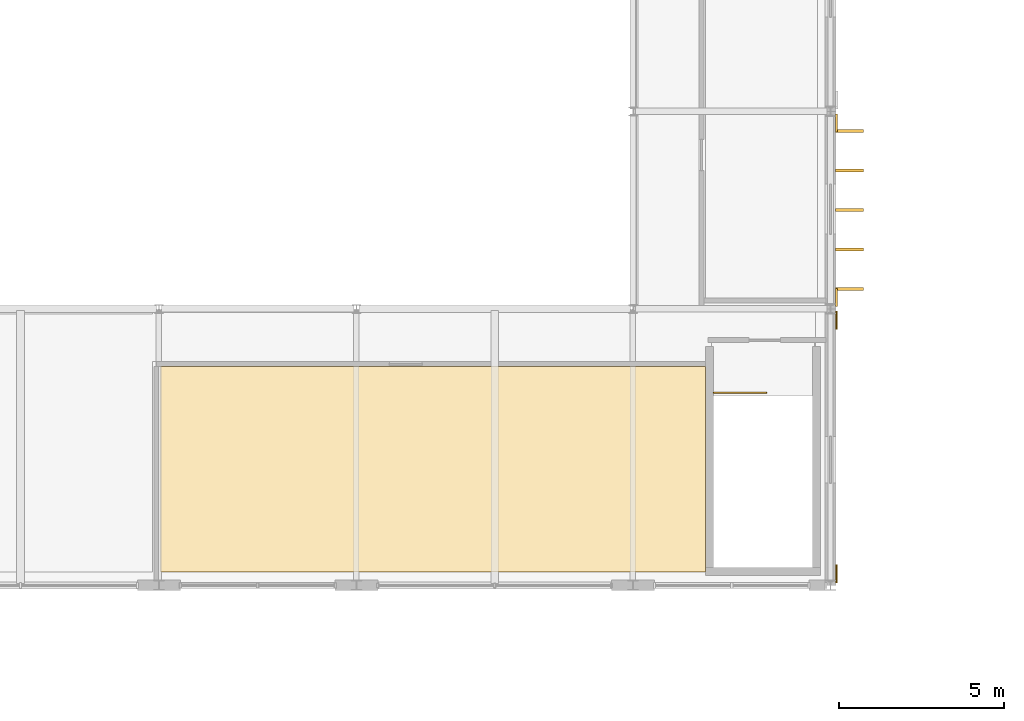
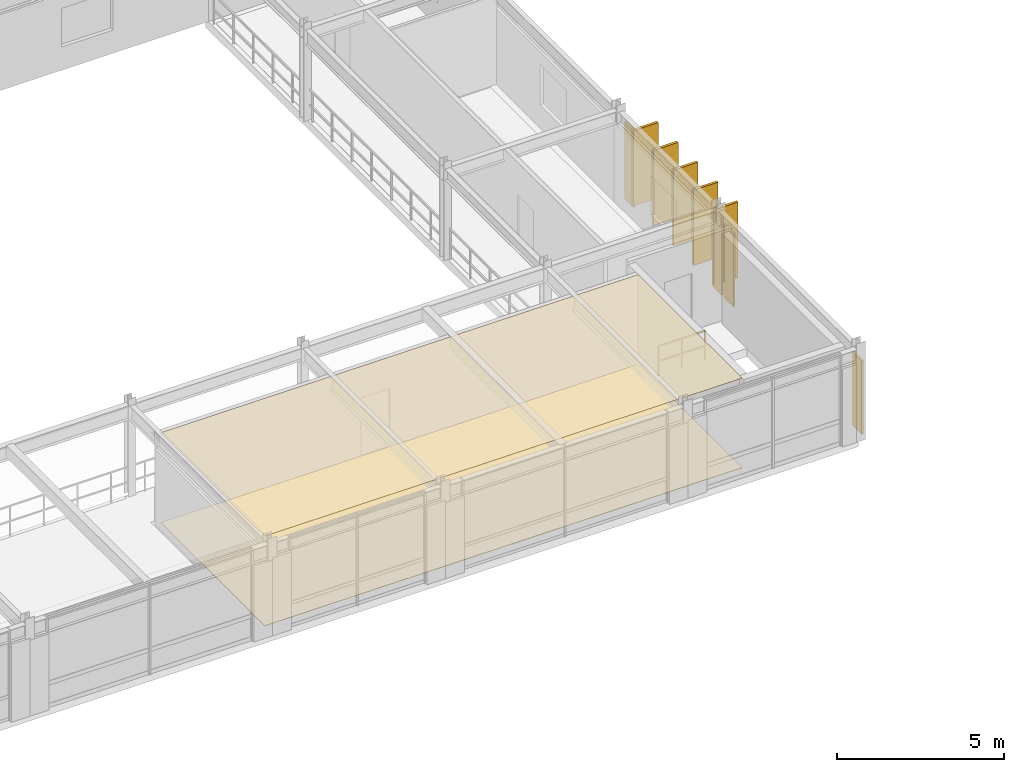
# One storey, part 76 of 88: 6 coverings, 5 shading devices, 1 railing.
"""IFC4 building model written with IfcOpenShell, lengths in metres."""

from ifc_helpers import new_model, si_unit, direction, frame, origin, origin_2d, place, context, subcontext, project, spatial, polyline, rectangle, outline, extrude, material, layer, layer_set, type_object, element, save


model = new_model("IFC4")

# Units and contexts
model_context = context("Model", 3, precision=1e-05, world=origin(), true_north=direction((0.0, 1.0)))
body_context = subcontext(model_context, "Body", "Model", "MODEL_VIEW")
ifc_project = project(units=[si_unit("LENGTHUNIT", "METRE"), si_unit("AREAUNIT", "SQUARE_METRE"), si_unit("VOLUMEUNIT", "CUBIC_METRE"), si_unit("PLANEANGLEUNIT", "RADIAN"), si_unit("MASSUNIT", "GRAM", prefix="KILO"), si_unit("THERMODYNAMICTEMPERATUREUNIT", "KELVIN")], contexts=[model_context])

# Site, building, storey
site_placement = place(None, origin())
site = spatial("IfcSite", under=ifc_project, at=site_placement, CompositionType="ELEMENT")
building_placement = place(site_placement, origin())
building = spatial("IfcBuilding", under=site, at=building_placement, Name="Thalorik Housing Commons", CompositionType="ELEMENT")
storey_placement = place(building_placement, frame((0.0, 0.0, 4.5)))
storey = spatial("IfcBuildingStorey", under=building, at=storey_placement, Name="L01", CompositionType="ELEMENT", Elevation=4.5)

# Coverings
ifc_material_1 = material(Name="Cobalt blue glazed ceramic facade tile panel", Category="masonry")
ifc_layer_1 = layer(ifc_material_1, 0.06005859375, Name="Cobalt blue glazed ceramic facade tile panel", Category="masonry")
ifc_layer_set_1 = layer_set([ifc_layer_1], Name="Cobalt blue glazed ceramic facade tile panel")
covering_type_1 = type_object("IfcCoveringType", Name="ARC-CLD-BLU-60", PredefinedType="CLADDING", material=ifc_layer_set_1)
for number, where, z_axis, x_axis, name in (
    (1, (115.382080078125, 57.949951171875, 0.050048828125), (0.0, 0.0, 1.0), (0.0, 1.0, 0.0), "L01 Architectural Facade Cladding 5164"),
    (2, (115.382080078125, 65.64990234375, 0.050048828125), (0.0, 0.0, 1.0), (0.0, 1.0, 0.0), "L01 Architectural Facade Cladding 5165"),
):
    element("IfcCovering", number, at=place(storey_placement, frame(where, z_axis=z_axis, x_axis=x_axis)), inside=storey, type_object=covering_type_1, Name=name, PredefinedType="CLADDING", context=body_context, shape_type="SweptSolid", body=[
        extrude(rectangle(XDim=0.550048828125, YDim=0.06005859375, at=origin_2d()), origin(), (0.0, 0.0, 1.0), 2.68994140625),
    ])
ifc_material_2 = material(Name="Mineral ochre architectural terracotta panel", Category="masonry")
ifc_layer_2 = layer(ifc_material_2, 0.06494140625, Name="Mineral ochre architectural terracotta panel", Category="masonry")
ifc_layer_set_2 = layer_set([ifc_layer_2], Name="Mineral ochre architectural terracotta panel")
covering_type_2 = type_object("IfcCoveringType", Name="ARC-CLD-YEL-65", PredefinedType="CLADDING", material=ifc_layer_set_2)
for number, where, z_axis, x_axis, name in (
    (3, (115.384521484375, 66.35009765625, 0.050048828125), (0.0, 0.0, 1.0), (0.0, 1.0, 0.0), "L01 Architectural Facade Cladding 5166"),
    (4, (115.384521484375, 71.64990234375, 0.050048828125), (0.0, 0.0, 1.0), (0.0, 1.0, 0.0), "L01 Architectural Facade Cladding 5167"),
):
    element("IfcCovering", number, at=place(storey_placement, frame(where, z_axis=z_axis, x_axis=x_axis)), inside=storey, type_object=covering_type_2, Name=name, PredefinedType="CLADDING", context=body_context, shape_type="SweptSolid", body=[
        extrude(rectangle(XDim=0.550048828125, YDim=0.06494140625, at=origin_2d()), origin(), (0.0, 0.0, 1.0), 2.81201171875),
    ])
ifc_material_3 = material(Name="Mineral fibre acoustic ceiling tile")
ifc_layer_3 = layer(ifc_material_3, 0.01806640625, Name="Mineral fibre acoustic ceiling tile")
ifc_layer_set_3 = layer_set([ifc_layer_3], Name="Mineral fibre acoustic ceiling tile")
covering_type_3 = type_object("IfcCoveringType", Name="ARC-COV-CEIL-02", PredefinedType="CEILING", material=ifc_layer_set_3)
covering_1_placement = place(storey_placement, frame((0.0, 0.0, 3.281982421875)))
element("IfcCovering", 5, at=covering_1_placement, inside=storey, type_object=covering_type_3, Name="L01 Community Workshop Suspended Ceiling", PredefinedType="CEILING", context=body_context, shape_type="SweptSolid", body=[
    extrude(outline(polyline([(111.39990234375, 58.0), (111.39990234375, 64.25), (94.85009765625, 64.25), (94.85009765625, 58.0), (111.39990234375, 58.0)])), origin(), (0.0, 0.0, 1.0), 0.01806640625),
])
ifc_material_4 = material(Name="Slip-resistant quarry terracotta corridor tile", Category="masonry")
ifc_layer_4 = layer(ifc_material_4, 0.01611328125, Name="Slip-resistant quarry terracotta corridor tile", Category="masonry")
ifc_layer_set_4 = layer_set([ifc_layer_4], Name="Slip-resistant quarry terracotta corridor tile")
covering_type_4 = type_object("IfcCoveringType", Name="ARC-COV-FLR-02", PredefinedType="FLOORING", material=ifc_layer_set_4)
covering_2_placement = place(storey_placement, origin())
element("IfcCovering", 6, at=covering_2_placement, inside=storey, type_object=covering_type_4, Name="L01 Community Workshop Flooring", PredefinedType="FLOORING", context=body_context, shape_type="SweptSolid", body=[
    extrude(outline(polyline([(111.39990234375, 58.0), (111.39990234375, 64.25), (94.85009765625, 64.25), (94.85009765625, 58.0), (111.39990234375, 58.0)])), origin(), (0.0, 0.0, 1.0), 0.01611328125),
])

# Shading devices
ifc_material_5 = material(Name="Precast concrete C40/50", Category="concrete")
shading_device_type = type_object("IfcShadingDeviceType", Name="ARC-FIN-PC-850B", PredefinedType="USERDEFINED", material=ifc_material_5)
for number, where, z_axis, x_axis, name in (
    (7, (115.77490234375, 66.60009765625, 0.1201171875), (0.0, 0.0, 1.0), (0.0, 1.0, 0.0), "L01 Vertical Precast Solar Fin 52"),
    (8, (115.77490234375, 67.800048828125, 0.1201171875), (0.0, 0.0, 1.0), (0.0, 1.0, 0.0), "L01 Vertical Precast Solar Fin 53"),
    (9, (115.77490234375, 69.0, 0.1201171875), (0.0, 0.0, 1.0), (0.0, 1.0, 0.0), "L01 Vertical Precast Solar Fin 54"),
    (10, (115.77490234375, 70.199951171875, 0.1201171875), (0.0, 0.0, 1.0), (0.0, 1.0, 0.0), "L01 Vertical Precast Solar Fin 55"),
    (11, (115.77490234375, 71.39990234375, 0.1201171875), (0.0, 0.0, 1.0), (0.0, 1.0, 0.0), "L01 Vertical Precast Solar Fin 56"),
):
    element("IfcShadingDevice", number, at=place(storey_placement, frame(where, z_axis=z_axis, x_axis=x_axis)), inside=storey, type_object=shading_device_type, Name=name, ObjectType="FIN", PredefinedType="USERDEFINED", context=body_context, shape_type="SweptSolid", body=[
        extrude(rectangle(XDim=0.090087890625, YDim=0.85009765625, at=origin_2d()), origin(), (0.0, 0.0, 1.0), 2.761962890625),
    ])

# Railing
ifc_material_6 = material(Name="Steel S355", Category="steel")
railing_type = type_object("IfcRailingType", Name="ARC-RL-STR-GRD110", PredefinedType="GUARDRAIL", material=ifc_material_6)
railing_placement = place(storey_placement, frame((111.64990234375, 63.449951171875, 0.0)))
element("IfcRailing", 12, at=railing_placement, inside=storey, type_object=railing_type, Name="L01 ST-H2 top well guard 1", PredefinedType="GUARDRAIL", context=body_context, shape_type="SweptSolid", body=[
    extrude(rectangle(XDim=0.048095703125, YDim=0.048095703125, at=origin_2d()), frame((0.0, 0.0, 1.076171875), z_axis=(1.0, 0.0, 0.0), x_axis=(0.0, 1.0, 0.0)), (0.0, 0.0, 1.0), 1.60009765625),
    extrude(rectangle(XDim=0.048095703125, YDim=0.048095703125, at=origin_2d()), frame((0.0, 0.0, 0.52587890625), z_axis=(1.0, 0.0, 0.0), x_axis=(0.0, 1.0, 0.0)), (0.0, 0.0, 1.0), 1.60009765625),
    extrude(rectangle(XDim=0.0419921875, YDim=0.0419921875, at=origin_2d()), origin(), (0.0, 0.0, 1.0), 1.052001953125),
    extrude(rectangle(XDim=0.0419921875, YDim=0.0419921875, at=origin_2d()), frame((0.800048828125, 0.0, 0.0)), (0.0, 0.0, 1.0), 1.052001953125),
    extrude(rectangle(XDim=0.0419921875, YDim=0.0419921875, at=origin_2d()), frame((1.60009765625, 0.0, 0.0)), (0.0, 0.0, 1.0), 1.052001953125),
])

save(model, "model.ifc")
